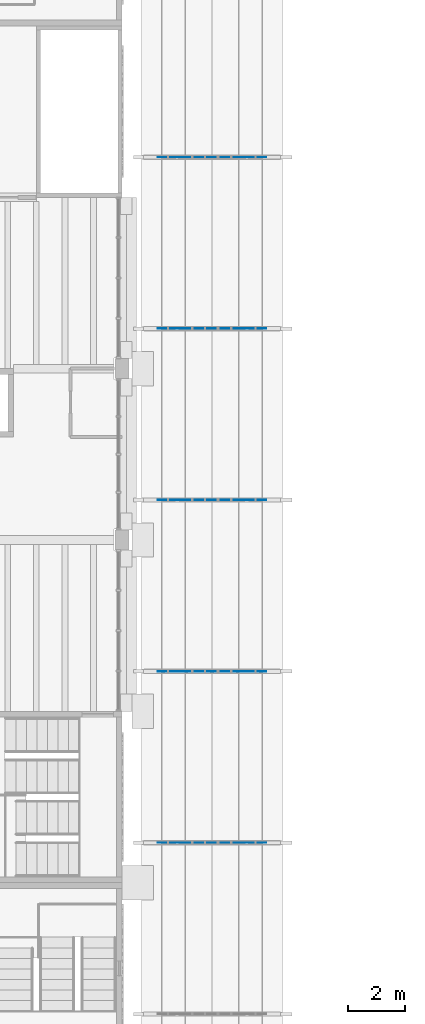
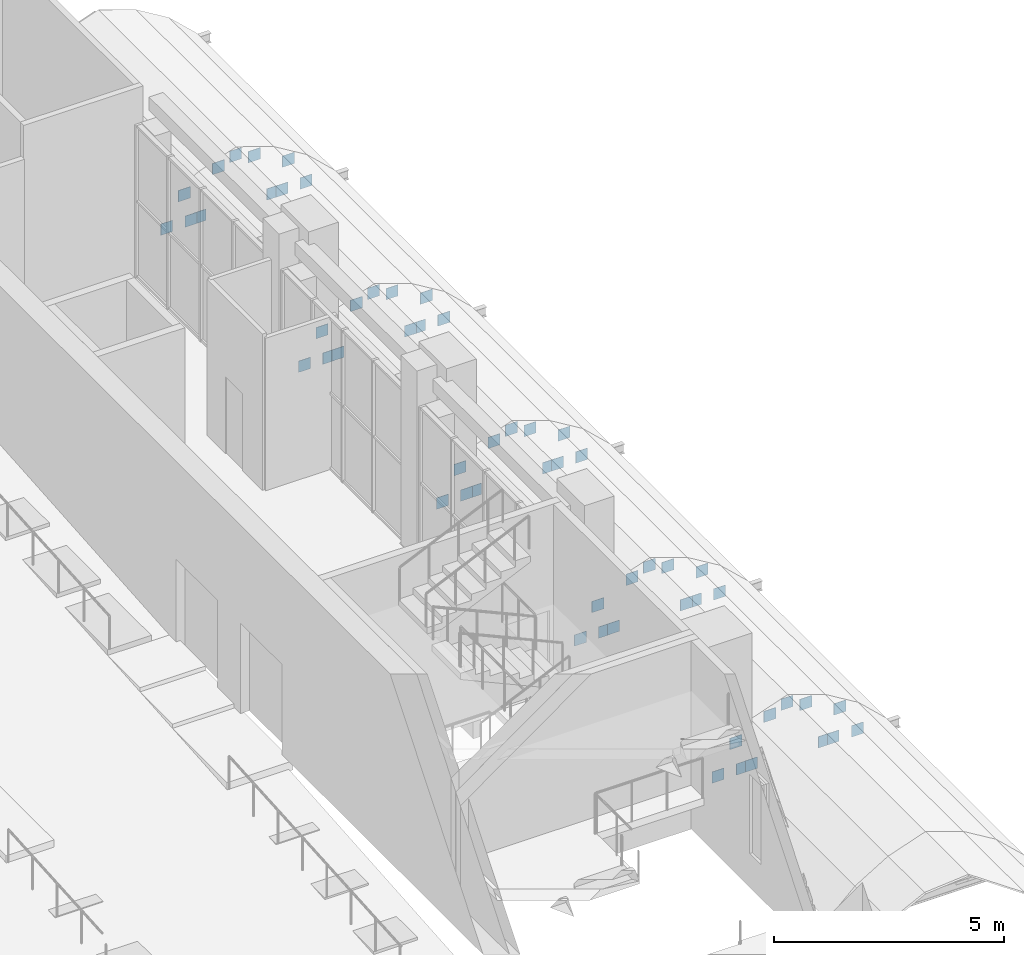
# One storey, part 53 of 80: 55 discrete accessories.
"""IFC4 building model written with IfcOpenShell, lengths in metres."""

from ifc_helpers import new_model, si_unit, direction, frame, origin, origin_2d, place, context, subcontext, project, spatial, rectangle, extrude, material, material_profile, profile_set, type_object, element, save


model = new_model("IFC4")

# Units and contexts
model_context = context("Model", 3, precision=1e-05, world=origin(), true_north=direction((0.0, 1.0)))
body_context = subcontext(model_context, "Body", "Model", "MODEL_VIEW")
ifc_project = project(units=[si_unit("LENGTHUNIT", "METRE"), si_unit("AREAUNIT", "SQUARE_METRE"), si_unit("VOLUMEUNIT", "CUBIC_METRE"), si_unit("PLANEANGLEUNIT", "RADIAN"), si_unit("MASSUNIT", "GRAM", prefix="KILO")], contexts=[model_context])

# Site, building, storey
site_placement = place(None, origin())
site = spatial("IfcSite", under=ifc_project, at=site_placement, CompositionType="ELEMENT")
building_placement = place(site_placement, origin())
building = spatial("IfcBuilding", under=site, at=building_placement, Name="Saffron Lane Theatres", CompositionType="ELEMENT")
storey_placement = place(building_placement, frame((0.0, 0.0, 7.0)))
storey = spatial("IfcBuildingStorey", under=building, at=storey_placement, Name="L01", CompositionType="ELEMENT", Elevation=7.0)

# Discrete accessories
ifc_material = material(Name="Steel Grade 350", Category="steel")
ifc_material_profile = material_profile(ifc_material, rectangle(XDim=0.300048828125, YDim=0.300048828125, at=origin_2d()))
ifc_profile_set = profile_set([ifc_material_profile], Name="Steel Grade 350")
discrete_accessory_type = type_object("IfcDiscreteAccessoryType", Name="ST-GUSSET CONNECTION PLATE", PredefinedType="BRACKET", material=ifc_profile_set)
for number, where, z_axis, x_axis, name in (
    (1, (55.400390625, 67.39501953125, -0.107177734375), (0.0, 1.0, 0.0), (-1.0, 0.0, 0.0), "GB625"),
    (2, (55.84228515625, 67.39501953125, 0.6298828125), (0.0, 1.0, 0.0), (-1.0, 0.0, 0.0), "GB626"),
    (3, (56.009033203125, 67.39501953125, -0.107177734375), (0.0, 1.0, 0.0), (-1.0, 0.0, 0.0), "GB627"),
    (4, (56.69873046875, 67.39501953125, 1.049560546875), (0.0, 1.0, 0.0), (-1.0, 0.0, 0.0), "GB628"),
    (5, (58.291015625, 67.39501953125, -0.107177734375), (0.0, 1.0, 0.0), (-1.0, 0.0, 0.0), "GB629"),
    (6, (57.60107421875, 67.39501953125, 1.049560546875), (0.0, 1.0, 0.0), (-1.0, 0.0, 0.0), "GB630"),
    (7, (58.899658203125, 67.39501953125, -0.107177734375), (0.0, 1.0, 0.0), (-1.0, 0.0, 0.0), "GB631"),
    (8, (58.457763671875, 67.39501953125, 0.6298828125), (0.0, 1.0, 0.0), (-1.0, 0.0, 0.0), "GB632"),
    (9, (55.400390625, 73.39501953125, -0.107177734375), (0.0, 1.0, 0.0), (-1.0, 0.0, 0.0), "GB633"),
    (10, (55.84228515625, 73.39501953125, 0.6298828125), (0.0, 1.0, 0.0), (-1.0, 0.0, 0.0), "GB634"),
    (11, (56.009033203125, 73.39501953125, -0.107177734375), (0.0, 1.0, 0.0), (-1.0, 0.0, 0.0), "GB635"),
    (12, (56.69873046875, 73.39501953125, 1.049560546875), (0.0, 1.0, 0.0), (-1.0, 0.0, 0.0), "GB636"),
    (13, (58.291015625, 73.39501953125, -0.107177734375), (0.0, 1.0, 0.0), (-1.0, 0.0, 0.0), "GB637"),
    (14, (57.60107421875, 73.39501953125, 1.049560546875), (0.0, 1.0, 0.0), (-1.0, 0.0, 0.0), "GB638"),
    (15, (58.899658203125, 73.39501953125, -0.107177734375), (0.0, 1.0, 0.0), (-1.0, 0.0, 0.0), "GB639"),
    (16, (58.457763671875, 73.39501953125, 0.6298828125), (0.0, 1.0, 0.0), (-1.0, 0.0, 0.0), "GB640"),
    (17, (55.400390625, 79.39501953125, -0.107177734375), (0.0, 1.0, 0.0), (-1.0, 0.0, 0.0), "GB641"),
    (18, (55.84228515625, 79.39501953125, 0.6298828125), (0.0, 1.0, 0.0), (-1.0, 0.0, 0.0), "GB642"),
    (19, (56.009033203125, 79.39501953125, -0.107177734375), (0.0, 1.0, 0.0), (-1.0, 0.0, 0.0), "GB643"),
    (20, (56.69873046875, 79.39501953125, 1.049560546875), (0.0, 1.0, 0.0), (-1.0, 0.0, 0.0), "GB644"),
    (21, (58.291015625, 79.39501953125, -0.107177734375), (0.0, 1.0, 0.0), (-1.0, 0.0, 0.0), "GB645"),
    (22, (57.60107421875, 79.39501953125, 1.049560546875), (0.0, 1.0, 0.0), (-1.0, 0.0, 0.0), "GB646"),
    (23, (58.899658203125, 79.39501953125, -0.107177734375), (0.0, 1.0, 0.0), (-1.0, 0.0, 0.0), "GB647"),
    (24, (58.457763671875, 79.39501953125, 0.6298828125), (0.0, 1.0, 0.0), (-1.0, 0.0, 0.0), "GB648"),
    (25, (55.400390625, 85.39501953125, -0.107177734375), (0.0, 1.0, 0.0), (-1.0, 0.0, 0.0), "GB649"),
    (26, (55.84228515625, 85.39501953125, 0.6298828125), (0.0, 1.0, 0.0), (-1.0, 0.0, 0.0), "GB650"),
    (27, (56.009033203125, 85.39501953125, -0.107177734375), (0.0, 1.0, 0.0), (-1.0, 0.0, 0.0), "GB651"),
    (28, (56.69873046875, 85.39501953125, 1.049560546875), (0.0, 1.0, 0.0), (-1.0, 0.0, 0.0), "GB652"),
    (29, (58.291015625, 85.39501953125, -0.107177734375), (0.0, 1.0, 0.0), (-1.0, 0.0, 0.0), "GB653"),
    (30, (57.60107421875, 85.39501953125, 1.049560546875), (0.0, 1.0, 0.0), (-1.0, 0.0, 0.0), "GB654"),
    (31, (58.899658203125, 85.39501953125, -0.107177734375), (0.0, 1.0, 0.0), (-1.0, 0.0, 0.0), "GB655"),
    (32, (58.457763671875, 85.39501953125, 0.6298828125), (0.0, 1.0, 0.0), (-1.0, 0.0, 0.0), "GB656"),
    (33, (55.400390625, 91.39501953125, -0.107177734375), (0.0, 1.0, 0.0), (-1.0, 0.0, 0.0), "GB657"),
    (34, (55.84228515625, 91.39501953125, 0.6298828125), (0.0, 1.0, 0.0), (-1.0, 0.0, 0.0), "GB658"),
    (35, (56.009033203125, 91.39501953125, -0.107177734375), (0.0, 1.0, 0.0), (-1.0, 0.0, 0.0), "GB659"),
    (36, (56.69873046875, 91.39501953125, 1.049560546875), (0.0, 1.0, 0.0), (-1.0, 0.0, 0.0), "GB660"),
    (37, (58.291015625, 91.39501953125, -0.107177734375), (0.0, 1.0, 0.0), (-1.0, 0.0, 0.0), "GB661"),
    (38, (57.60107421875, 91.39501953125, 1.049560546875), (0.0, 1.0, 0.0), (-1.0, 0.0, 0.0), "GB662"),
    (39, (58.899658203125, 91.39501953125, -0.107177734375), (0.0, 1.0, 0.0), (-1.0, 0.0, 0.0), "GB663"),
    (40, (58.457763671875, 91.39501953125, 0.6298828125), (0.0, 1.0, 0.0), (-1.0, 0.0, 0.0), "GB664"),
    (41, (56.234619140625, 67.39501953125, -0.10498046875), (0.0, 1.0, 0.0), (-1.0, 0.0, 0.0), "GB691"),
    (42, (57.133056640625, 67.39501953125, 1.219970703125), (0.0, 1.0, 0.0), (-1.0, 0.0, 0.0), "GB692"),
    (43, (58.065185546875, 67.39501953125, -0.10498046875), (0.0, 1.0, 0.0), (-1.0, 0.0, 0.0), "GB693"),
    (44, (56.234619140625, 73.39501953125, -0.10498046875), (0.0, 1.0, 0.0), (-1.0, 0.0, 0.0), "GB694"),
    (45, (57.133056640625, 73.39501953125, 1.219970703125), (0.0, 1.0, 0.0), (-1.0, 0.0, 0.0), "GB695"),
    (46, (58.065185546875, 73.39501953125, -0.10498046875), (0.0, 1.0, 0.0), (-1.0, 0.0, 0.0), "GB696"),
    (47, (56.234619140625, 79.39501953125, -0.10498046875), (0.0, 1.0, 0.0), (-1.0, 0.0, 0.0), "GB697"),
    (48, (57.133056640625, 79.39501953125, 1.219970703125), (0.0, 1.0, 0.0), (-1.0, 0.0, 0.0), "GB698"),
    (49, (58.065185546875, 79.39501953125, -0.10498046875), (0.0, 1.0, 0.0), (-1.0, 0.0, 0.0), "GB699"),
    (50, (56.234619140625, 85.39501953125, -0.10498046875), (0.0, 1.0, 0.0), (-1.0, 0.0, 0.0), "GB700"),
    (51, (57.133056640625, 85.39501953125, 1.219970703125), (0.0, 1.0, 0.0), (-1.0, 0.0, 0.0), "GB701"),
    (52, (58.065185546875, 85.39501953125, -0.10498046875), (0.0, 1.0, 0.0), (-1.0, 0.0, 0.0), "GB702"),
    (53, (56.234619140625, 91.39501953125, -0.10498046875), (0.0, 1.0, 0.0), (-1.0, 0.0, 0.0), "GB703"),
    (54, (57.133056640625, 91.39501953125, 1.219970703125), (0.0, 1.0, 0.0), (-1.0, 0.0, 0.0), "GB704"),
    (55, (58.065185546875, 91.39501953125, -0.10498046875), (0.0, 1.0, 0.0), (-1.0, 0.0, 0.0), "GB705"),
):
    element("IfcDiscreteAccessory", number, at=place(storey_placement, frame(where, z_axis=z_axis, x_axis=x_axis)), inside=storey, type_object=discrete_accessory_type, Name=name, PredefinedType="BRACKET", context=body_context, shape_type="SweptSolid", body=[
        extrude(rectangle(XDim=0.300048828125, YDim=0.300048828125, at=origin_2d()), origin(), (0.0, 0.0, 1.0), 0.010009765625),
    ])

save(model, "model.ifc")
